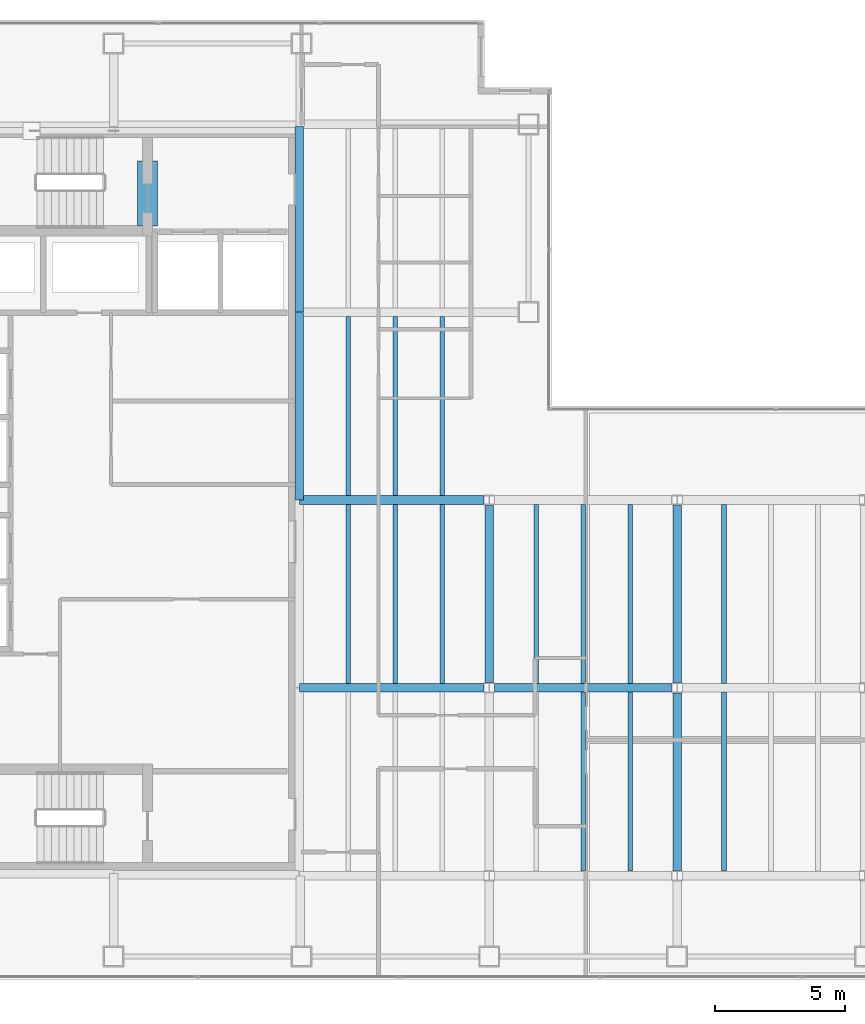
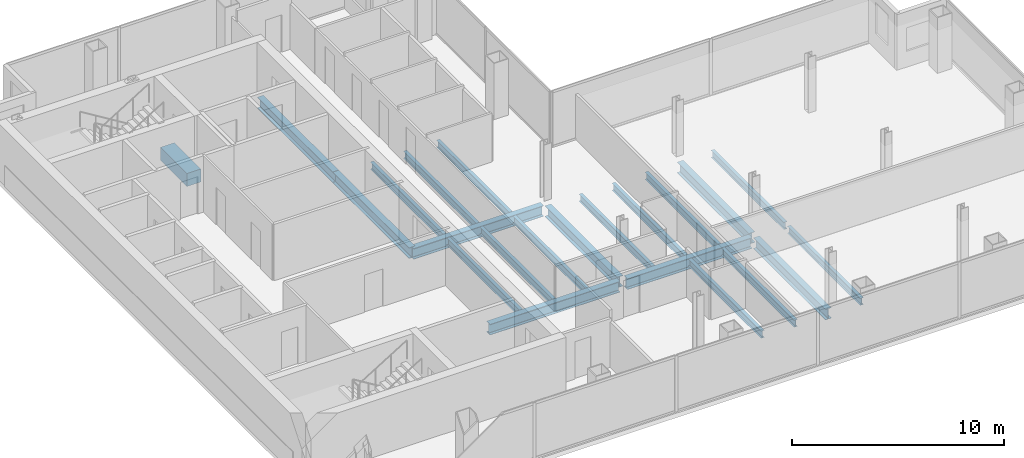
# One storey, part 7 of 23: 22 beams.
"""IFC4 building model written with IfcOpenShell, lengths in metres."""

import ifcopenshell
import ifcopenshell.guid

model = None  # the IFC model being written
_history = None  # IfcOwnerHistory: only IFC2X3 demands one
_inside = {}  # id of a spatial element -> (the spatial element, [elements in it])
_under = {}  # id of a project, library or spatial element -> (it, [spatial elements below it])
_declared = {}  # id of a project -> (the project, [libraries it declares])
_typed = {}  # id of a type object -> (the type object, [elements of that type])
_made_of = {}  # id of a material, layer set ... -> (it, [elements and type objects made of it])


def new_model(schema):
    """Start an empty IFC model of exactly this schema.

    Asked for "IFC4X3", IfcOpenShell would pick the latest addendum, in which some entities
    have other attributes; the version numbers below select the first issue.
    IFC2X3 requires an IfcOwnerHistory on every rooted entity: one is made here for all.
    """
    global model, _history
    if schema == "IFC4X3":
        model = ifcopenshell.file(schema_version=(4, 3, 0, 0))
    else:
        model = ifcopenshell.file(schema=schema)
    _inside.clear()
    _under.clear()
    _declared.clear()
    _typed.clear()
    _made_of.clear()
    _history = None
    if model.schema == "IFC2X3":
        org = make("IfcOrganization", Name="unknown")
        user = make(
            "IfcPersonAndOrganization",
            ThePerson=make("IfcPerson", FamilyName="unknown"),
            TheOrganization=org,
        )
        app = make(
            "IfcApplication",
            ApplicationDeveloper=org,
            Version="unknown",
            ApplicationFullName="unknown",
            ApplicationIdentifier="unknown",
        )
        _history = make(
            "IfcOwnerHistory",
            OwningUser=user,
            OwningApplication=app,
            ChangeAction="ADDED",
            CreationDate=0,
        )
    return model


def make(cls, **values):
    """One entity of the class cls with the attributes given. An attribute that is None is left unset."""
    return model.create_entity(
        cls, **{name: value for name, value in values.items() if value is not None}
    )


def rooted(cls, **values):
    """An entity with a GlobalId (a new one), such as an element, a storey or a relation."""
    return make(cls, GlobalId=ifcopenshell.guid.new(), OwnerHistory=_history, **values)


def si_unit(unit_type, name, prefix=None):
    """IfcSIUnit, for example si_unit("LENGTHUNIT", "METRE", prefix="MILLI")."""
    return make("IfcSIUnit", UnitType=unit_type, Prefix=prefix, Name=name)


def assignment(units):
    """IfcUnitAssignment: the units of a project."""
    return None if units is None else make("IfcUnitAssignment", Units=units)


def point(xyz):
    """IfcCartesianPoint."""
    return None if xyz is None else make("IfcCartesianPoint", Coordinates=xyz)


def direction(xyz):
    """IfcDirection."""
    return None if xyz is None else make("IfcDirection", DirectionRatios=xyz)


def frame(location, z_axis=None, x_axis=None):
    """IfcAxis2Placement3D, a coordinate frame: its origin and axes. An axis left out is left unset."""
    return make(
        "IfcAxis2Placement3D",
        Location=point(location),
        Axis=direction(z_axis),
        RefDirection=direction(x_axis),
    )


def frame_2d(location, x_axis=None):
    """IfcAxis2Placement2D, a coordinate frame in the plane: its origin and x axis."""
    return make(
        "IfcAxis2Placement2D", Location=point(location), RefDirection=direction(x_axis)
    )


def origin():
    """The frame at (0, 0, 0) with its axes left unset."""
    return frame((0.0, 0.0, 0.0))


def origin_2d():
    """The frame at (0, 0) in the plane with its x axis left unset."""
    return frame_2d((0.0, 0.0))


def place(relative_to, where):
    """IfcLocalPlacement: puts the frame where relative to a parent placement (None: the world)."""
    return make(
        "IfcLocalPlacement", PlacementRelTo=relative_to, RelativePlacement=where
    )


def context(
    kind, dimensions, precision=None, world=None, true_north=None, identifier=None
):
    """IfcGeometricRepresentationContext, for example the 3D "Model" context."""
    return make(
        "IfcGeometricRepresentationContext",
        ContextIdentifier=identifier,
        ContextType=kind,
        CoordinateSpaceDimension=dimensions,
        Precision=precision,
        WorldCoordinateSystem=world,
        TrueNorth=true_north,
    )


def subcontext(parent, identifier, kind, view, scale=None):
    """IfcGeometricRepresentationSubContext, for example "Body" below "Model"."""
    return make(
        "IfcGeometricRepresentationSubContext",
        ContextIdentifier=identifier,
        ContextType=kind,
        ParentContext=parent,
        TargetScale=scale,
        TargetView=view,
    )


def project(units=None, contexts=None):
    """IfcProject with its units and contexts."""
    return rooted(
        "IfcProject",
        Name="project",
        RepresentationContexts=contexts,
        UnitsInContext=assignment(units),
    )


def spatial(cls, under=None, at=None, **own):
    """A site, building, storey or space (cls), placed at a placement, below another one or the project."""
    s = rooted(cls, ObjectPlacement=at, **own)
    if under is not None:
        _under.setdefault(under.id(), (under, []))[1].append(s)
    return s


def profile(cls, at=None, kind="AREA", **sizes):
    """A parametric profile (cls). Its sizes go by their IFC names, for example OverallWidth=200.0."""
    return make(cls, ProfileType=kind, Position=at, **sizes)


def rectangle(**sizes):
    """IfcRectangleProfileDef."""
    return profile("IfcRectangleProfileDef", **sizes)


def i_section(**sizes):
    """IfcIShapeProfileDef."""
    return profile("IfcIShapeProfileDef", **sizes)


def extrude(swept, where, along, depth):
    """IfcExtrudedAreaSolid: the profile swept, set in the frame where, extruded along a direction by depth."""
    return make(
        "IfcExtrudedAreaSolid",
        SweptArea=swept,
        Position=where,
        ExtrudedDirection=direction(along),
        Depth=depth,
    )


def shape(context_of_items, identifier, shape_type, items):
    """IfcShapeRepresentation: the items that make up one representation, for example the "Body"."""
    return make(
        "IfcShapeRepresentation",
        ContextOfItems=context_of_items,
        RepresentationIdentifier=identifier,
        RepresentationType=shape_type,
        Items=items,
    )


def material(Name=None, Category=None):
    """IfcMaterial."""
    return make("IfcMaterial", Name=Name, Category=Category)


def material_profile(
    of_material, cross_section, Name=None, Category=None, Priority=None
):
    """IfcMaterialProfile: a cross section and its material."""
    return make(
        "IfcMaterialProfile",
        Name=Name,
        Material=of_material,
        Profile=cross_section,
        Priority=Priority,
        Category=Category,
    )


def profile_set(profiles, Name=None, composite=None):
    """IfcMaterialProfileSet."""
    return make(
        "IfcMaterialProfileSet",
        Name=Name,
        MaterialProfiles=profiles,
        CompositeProfile=composite,
    )


def made_of(thing, what):
    """Note that an element or type object is made of a material, layer set ...; save() writes the relation."""
    if what is not None:
        _made_of.setdefault(what.id(), (what, []))[1].append(thing)
    return thing


def type_object(cls, material=None, **own):
    """A type object (cls), such as IfcWallType, which elements share."""
    return made_of(rooted(cls, **own), material)


def element(
    cls,
    number,
    at=None,
    inside=None,
    cuts=None,
    type_object=None,
    material=None,
    context=None,
    identifier="Body",
    shape_type=None,
    held_by="IfcProductDefinitionShape",
    body=None,
    shapes=None,
    **own,
):
    """One element of the class cls, such as IfcWall. Its Tag is "e" and its number.

    at: its placement. inside: the storey or other place that contains it. cuts: it is an
    opening in that element (IfcRelVoidsElement). A single representation is given by context,
    identifier, shape_type and body (its items); several are given by shapes. held_by: the class
    of the entity that holds the representations. save() writes the other relations.
    """
    e = rooted(cls, Tag="e%d" % number, ObjectPlacement=at, **own)
    if body is not None:
        shapes = [shape(context, identifier, shape_type, body)]
    if shapes is not None:
        e.Representation = make(held_by, Representations=shapes)
    if inside is not None:
        _inside.setdefault(inside.id(), (inside, []))[1].append(e)
    if cuts is not None:
        rooted(
            "IfcRelVoidsElement", RelatingBuildingElement=cuts, RelatedOpeningElement=e
        )
    if type_object is not None:
        _typed.setdefault(type_object.id(), (type_object, []))[1].append(e)
    return made_of(e, material)


def aggregate(whole, parts):
    """IfcRelAggregates: a whole, such as a stair, and the parts it consists of."""
    return rooted("IfcRelAggregates", RelatingObject=whole, RelatedObjects=parts)


def save(model, path):
    """Write the relations noted so far, then the file.

    IfcRelAggregates (storeys below a building ...), IfcRelContainedInSpatialStructure (elements
    in a storey), IfcRelDefinesByType, IfcRelAssociatesMaterial and IfcRelDeclares: one each for
    every whole, place, type object, material and project.
    """
    for whole, parts in _under.values():
        aggregate(whole, parts)
    for where, things in _inside.values():
        rooted(
            "IfcRelContainedInSpatialStructure",
            RelatedElements=things,
            RelatingStructure=where,
        )
    for kind, things in _typed.values():
        rooted("IfcRelDefinesByType", RelatedObjects=things, RelatingType=kind)
    for what, things in _made_of.values():
        rooted("IfcRelAssociatesMaterial", RelatedObjects=things, RelatingMaterial=what)
    for by, libraries in _declared.values():
        rooted("IfcRelDeclares", RelatingContext=by, RelatedDefinitions=libraries)
    model.write(path)


model = new_model("IFC4")

# Units and contexts
model_context = context("Model", 3, precision=1e-05, world=origin(), true_north=direction((0.0, 1.0)))
body_context = subcontext(model_context, "Body", "Model", "MODEL_VIEW")
ifc_project = project(units=[si_unit("LENGTHUNIT", "METRE"), si_unit("AREAUNIT", "SQUARE_METRE"), si_unit("VOLUMEUNIT", "CUBIC_METRE"), si_unit("PLANEANGLEUNIT", "RADIAN"), si_unit("MASSUNIT", "GRAM", prefix="KILO")], contexts=[model_context])

# Site, building, storey
site_placement = place(None, origin())
site = spatial("IfcSite", under=ifc_project, at=site_placement, CompositionType="ELEMENT")
building_placement = place(site_placement, origin())
building = spatial("IfcBuilding", under=site, at=building_placement, Name="Cobrela Telecom Tower", CompositionType="ELEMENT")
storey_placement = place(building_placement, frame((0.0, 0.0, 197.75)))
storey = spatial("IfcBuildingStorey", under=building, at=storey_placement, Name="L50", CompositionType="ELEMENT", Elevation=197.75)

# Beams
ifc_material_1 = material(Name="Concrete C40/50", Category="concrete")
ifc_material_profile_1 = material_profile(ifc_material_1, rectangle(XDim=0.75, YDim=0.75, at=origin_2d()), Name="RC 750x750")
ifc_profile_set_1 = profile_set([ifc_material_profile_1], Name="Concrete C40/50")
beam_type_1 = type_object("IfcBeamType", Name="BM-COUP-RC", PredefinedType="LINTEL", material=ifc_profile_set_1)
beam_1_placement = place(storey_placement, frame((8.5, 32.10009765625, -0.610107421875), z_axis=(0.0, 1.0, 0.0), x_axis=(-1.0, 0.0, 0.0)))
element("IfcBeam", 1, at=beam_1_placement, inside=storey, type_object=beam_type_1, Name="L50 Core Coupling Lintel Beam", PredefinedType="LINTEL", context=body_context, shape_type="SweptSolid", body=[
    extrude(rectangle(XDim=0.75, YDim=0.75, at=origin_2d()), origin(), (0.0, 0.0, 1.0), 2.5),
])
ifc_material_2 = material(Name="Steel ASTM A992 Grade 50", Category="steel")
ifc_material_profile_2 = material_profile(ifc_material_2, i_section(OverallWidth=0.327880859375, OverallDepth=0.6220703125, WebThickness=0.015380859375, FlangeThickness=0.0244140625, FilletRadius=0.014892578125, at=origin_2d()), Name="W24X131")
ifc_profile_set_2 = profile_set([ifc_material_profile_2], Name="Steel ASTM A992 Grade 50")
beam_type_2 = type_object("IfcBeamType", Name="BM-GIRD-06", PredefinedType="USERDEFINED", material=ifc_profile_set_2)
beam_2_placement = place(storey_placement, frame((14.324951171875, 14.39990234375, -0.571044921875), z_axis=(1.0, 0.0, 0.0), x_axis=(0.0, 1.0, 0.0)))
element("IfcBeam", 2, at=beam_2_placement, inside=storey, type_object=beam_type_2, Name="L50 Primary Girder X11", ObjectType="GIRDER", PredefinedType="USERDEFINED", context=body_context, shape_type="SweptSolid", body=[
    extrude(i_section(OverallWidth=0.327880859375, OverallDepth=0.6220703125, WebThickness=0.015380859375, FlangeThickness=0.0244140625, FilletRadius=0.014892578125, at=origin_2d()), origin(), (0.0, 0.0, 1.0), 7.070556640625),
])
beam_3_placement = place(storey_placement, frame((21.804443359375, 14.39990234375, -0.571044921875), z_axis=(1.0, 0.0, 0.0), x_axis=(0.0, 1.0, 0.0)))
element("IfcBeam", 3, at=beam_3_placement, inside=storey, type_object=beam_type_2, Name="L50 Primary Girder X12", ObjectType="GIRDER", PredefinedType="USERDEFINED", context=body_context, shape_type="SweptSolid", body=[
    extrude(i_section(OverallWidth=0.327880859375, OverallDepth=0.6220703125, WebThickness=0.015380859375, FlangeThickness=0.0244140625, FilletRadius=0.014892578125, at=origin_2d()), origin(), (0.0, 0.0, 1.0), 6.791015625),
])
beam_4_placement = place(storey_placement, frame((14.324951171875, 21.60009765625, -0.571044921875), z_axis=(1.0, 0.0, 0.0), x_axis=(0.0, 1.0, 0.0)))
element("IfcBeam", 4, at=beam_4_placement, inside=storey, type_object=beam_type_2, Name="L50 Primary Girder X15", ObjectType="GIRDER", PredefinedType="USERDEFINED", context=body_context, shape_type="SweptSolid", body=[
    extrude(i_section(OverallWidth=0.327880859375, OverallDepth=0.6220703125, WebThickness=0.015380859375, FlangeThickness=0.0244140625, FilletRadius=0.014892578125, at=origin_2d()), origin(), (0.0, 0.0, 1.0), 7.070556640625),
])
beam_5_placement = place(storey_placement, frame((14.320068359375, 21.60498046875, -0.571044921875), z_axis=(0.0, 1.0, 0.0), x_axis=(-1.0, 0.0, 0.0)))
element("IfcBeam", 5, at=beam_5_placement, inside=storey, type_object=beam_type_2, Name="L50 Primary Girder Y29", ObjectType="GIRDER", PredefinedType="USERDEFINED", context=body_context, shape_type="SweptSolid", body=[
    extrude(i_section(OverallWidth=0.327880859375, OverallDepth=0.6220703125, WebThickness=0.015380859375, FlangeThickness=0.0244140625, FilletRadius=0.014892578125, at=origin_2d()), origin(), (0.0, 0.0, 1.0), 7.18994140625),
])
beam_6_placement = place(storey_placement, frame((14.320068359375, 28.804931640625, -0.571044921875), z_axis=(0.0, 1.0, 0.0), x_axis=(-1.0, 0.0, 0.0)))
element("IfcBeam", 6, at=beam_6_placement, inside=storey, type_object=beam_type_2, Name="L50 Primary Girder Y30", ObjectType="GIRDER", PredefinedType="USERDEFINED", context=body_context, shape_type="SweptSolid", body=[
    extrude(i_section(OverallWidth=0.327880859375, OverallDepth=0.6220703125, WebThickness=0.015380859375, FlangeThickness=0.0244140625, FilletRadius=0.014892578125, at=origin_2d()), origin(), (0.0, 0.0, 1.0), 7.110107421875),
])
for number, where, z_axis, x_axis, name in (
    (7, (21.60009765625, 14.6044921875, -0.571044921875), (0.0, 1.0, 0.0), (-1.0, 0.0, 0.0), "L50 Primary Girder Y34"),
    (8, (28.800048828125, 7.404541015625, -0.571044921875), (0.0, 1.0, 0.0), (-1.0, 0.0, 0.0), "L50 Primary Girder Y37"),
    (9, (28.800048828125, 14.6044921875, -0.571044921875), (0.0, 1.0, 0.0), (-1.0, 0.0, 0.0), "L50 Primary Girder Y38"),
):
    element("IfcBeam", number, at=place(storey_placement, frame(where, z_axis=z_axis, x_axis=x_axis)), inside=storey, type_object=beam_type_2, Name=name, ObjectType="GIRDER", PredefinedType="USERDEFINED", context=body_context, shape_type="SweptSolid", body=[
        extrude(i_section(OverallWidth=0.327880859375, OverallDepth=0.6220703125, WebThickness=0.015380859375, FlangeThickness=0.0244140625, FilletRadius=0.014892578125, at=origin_2d()), origin(), (0.0, 0.0, 1.0), 6.791015625),
    ])
ifc_material_profile_3 = material_profile(ifc_material_2, i_section(OverallWidth=0.179931640625, OverallDepth=0.4169921875, WebThickness=0.010986328125, FlangeThickness=0.01806640625, FilletRadius=0.011962890625, at=origin_2d()), Name="W16X57")
ifc_profile_set_3 = profile_set([ifc_material_profile_3], Name="Steel ASTM A992 Grade 50")
beam_type_3 = type_object("IfcBeamType", Name="BM-JOIST-04", PredefinedType="JOIST", material=ifc_profile_set_3)
beam_7_placement = place(storey_placement, frame((16.199951171875, 14.569091796875, -0.468505859375), z_axis=(0.0, 1.0, 0.0), x_axis=(-1.0, 0.0, 0.0)))
element("IfcBeam", 10, at=beam_7_placement, inside=storey, type_object=beam_type_3, Name="L50 Secondary Composite Floor Beam J02", PredefinedType="JOIST", context=body_context, shape_type="SweptSolid", body=[
    extrude(i_section(OverallWidth=0.179931640625, OverallDepth=0.4169921875, WebThickness=0.010986328125, FlangeThickness=0.01806640625, FilletRadius=0.011962890625, at=origin_2d()), origin(), (0.0, 0.0, 1.0), 6.86181640625),
])
beam_8_placement = place(storey_placement, frame((16.199951171875, 21.76904296875, -0.468505859375), z_axis=(0.0, 1.0, 0.0), x_axis=(-1.0, 0.0, 0.0)))
element("IfcBeam", 11, at=beam_8_placement, inside=storey, type_object=beam_type_3, Name="L50 Secondary Composite Floor Beam J03", PredefinedType="JOIST", context=body_context, shape_type="SweptSolid", body=[
    extrude(i_section(OverallWidth=0.179931640625, OverallDepth=0.4169921875, WebThickness=0.010986328125, FlangeThickness=0.01806640625, FilletRadius=0.011962890625, at=origin_2d()), origin(), (0.0, 0.0, 1.0), 6.862060546875),
])
beam_9_placement = place(storey_placement, frame((18.0, 14.569091796875, -0.468505859375), z_axis=(0.0, 1.0, 0.0), x_axis=(-1.0, 0.0, 0.0)))
element("IfcBeam", 12, at=beam_9_placement, inside=storey, type_object=beam_type_3, Name="L50 Secondary Composite Floor Beam J06", PredefinedType="JOIST", context=body_context, shape_type="SweptSolid", body=[
    extrude(i_section(OverallWidth=0.179931640625, OverallDepth=0.4169921875, WebThickness=0.010986328125, FlangeThickness=0.01806640625, FilletRadius=0.011962890625, at=origin_2d()), origin(), (0.0, 0.0, 1.0), 6.86181640625),
])
beam_10_placement = place(storey_placement, frame((18.0, 21.76904296875, -0.468505859375), z_axis=(0.0, 1.0, 0.0), x_axis=(-1.0, 0.0, 0.0)))
element("IfcBeam", 13, at=beam_10_placement, inside=storey, type_object=beam_type_3, Name="L50 Secondary Composite Floor Beam J07", PredefinedType="JOIST", context=body_context, shape_type="SweptSolid", body=[
    extrude(i_section(OverallWidth=0.179931640625, OverallDepth=0.4169921875, WebThickness=0.010986328125, FlangeThickness=0.01806640625, FilletRadius=0.011962890625, at=origin_2d()), origin(), (0.0, 0.0, 1.0), 6.862060546875),
])
beam_11_placement = place(storey_placement, frame((19.800048828125, 14.569091796875, -0.468505859375), z_axis=(0.0, 1.0, 0.0), x_axis=(-1.0, 0.0, 0.0)))
element("IfcBeam", 14, at=beam_11_placement, inside=storey, type_object=beam_type_3, Name="L50 Secondary Composite Floor Beam J10", PredefinedType="JOIST", context=body_context, shape_type="SweptSolid", body=[
    extrude(i_section(OverallWidth=0.179931640625, OverallDepth=0.4169921875, WebThickness=0.010986328125, FlangeThickness=0.01806640625, FilletRadius=0.011962890625, at=origin_2d()), origin(), (0.0, 0.0, 1.0), 6.86181640625),
])
beam_12_placement = place(storey_placement, frame((19.800048828125, 21.76904296875, -0.468505859375), z_axis=(0.0, 1.0, 0.0), x_axis=(-1.0, 0.0, 0.0)))
element("IfcBeam", 15, at=beam_12_placement, inside=storey, type_object=beam_type_3, Name="L50 Secondary Composite Floor Beam J11", PredefinedType="JOIST", context=body_context, shape_type="SweptSolid", body=[
    extrude(i_section(OverallWidth=0.179931640625, OverallDepth=0.4169921875, WebThickness=0.010986328125, FlangeThickness=0.01806640625, FilletRadius=0.011962890625, at=origin_2d()), origin(), (0.0, 0.0, 1.0), 6.862060546875),
])
beam_13_placement = place(storey_placement, frame((23.39990234375, 14.569091796875, -0.468505859375), z_axis=(0.0, 1.0, 0.0), x_axis=(-1.0, 0.0, 0.0)))
element("IfcBeam", 16, at=beam_13_placement, inside=storey, type_object=beam_type_3, Name="L50 Secondary Composite Floor Beam J14", PredefinedType="JOIST", context=body_context, shape_type="SweptSolid", body=[
    extrude(i_section(OverallWidth=0.179931640625, OverallDepth=0.4169921875, WebThickness=0.010986328125, FlangeThickness=0.01806640625, FilletRadius=0.011962890625, at=origin_2d()), origin(), (0.0, 0.0, 1.0), 6.86181640625),
])
beam_14_placement = place(storey_placement, frame((25.199951171875, 7.368896484375, -0.468505859375), z_axis=(0.0, 1.0, 0.0), x_axis=(-1.0, 0.0, 0.0)))
element("IfcBeam", 17, at=beam_14_placement, inside=storey, type_object=beam_type_3, Name="L50 Secondary Composite Floor Beam J15", PredefinedType="JOIST", context=body_context, shape_type="SweptSolid", body=[
    extrude(i_section(OverallWidth=0.179931640625, OverallDepth=0.4169921875, WebThickness=0.010986328125, FlangeThickness=0.01806640625, FilletRadius=0.011962890625, at=origin_2d()), origin(), (0.0, 0.0, 1.0), 6.862060546875),
])
beam_15_placement = place(storey_placement, frame((25.199951171875, 14.569091796875, -0.468505859375), z_axis=(0.0, 1.0, 0.0), x_axis=(-1.0, 0.0, 0.0)))
element("IfcBeam", 18, at=beam_15_placement, inside=storey, type_object=beam_type_3, Name="L50 Secondary Composite Floor Beam J16", PredefinedType="JOIST", context=body_context, shape_type="SweptSolid", body=[
    extrude(i_section(OverallWidth=0.179931640625, OverallDepth=0.4169921875, WebThickness=0.010986328125, FlangeThickness=0.01806640625, FilletRadius=0.011962890625, at=origin_2d()), origin(), (0.0, 0.0, 1.0), 6.86181640625),
])
beam_16_placement = place(storey_placement, frame((27.0, 7.368896484375, -0.468505859375), z_axis=(0.0, 1.0, 0.0), x_axis=(-1.0, 0.0, 0.0)))
element("IfcBeam", 19, at=beam_16_placement, inside=storey, type_object=beam_type_3, Name="L50 Secondary Composite Floor Beam J17", PredefinedType="JOIST", context=body_context, shape_type="SweptSolid", body=[
    extrude(i_section(OverallWidth=0.179931640625, OverallDepth=0.4169921875, WebThickness=0.010986328125, FlangeThickness=0.01806640625, FilletRadius=0.011962890625, at=origin_2d()), origin(), (0.0, 0.0, 1.0), 6.862060546875),
])
beam_17_placement = place(storey_placement, frame((27.0, 14.569091796875, -0.468505859375), z_axis=(0.0, 1.0, 0.0), x_axis=(-1.0, 0.0, 0.0)))
element("IfcBeam", 20, at=beam_17_placement, inside=storey, type_object=beam_type_3, Name="L50 Secondary Composite Floor Beam J18", PredefinedType="JOIST", context=body_context, shape_type="SweptSolid", body=[
    extrude(i_section(OverallWidth=0.179931640625, OverallDepth=0.4169921875, WebThickness=0.010986328125, FlangeThickness=0.01806640625, FilletRadius=0.011962890625, at=origin_2d()), origin(), (0.0, 0.0, 1.0), 6.86181640625),
])
beam_18_placement = place(storey_placement, frame((30.60009765625, 7.368896484375, -0.468505859375), z_axis=(0.0, 1.0, 0.0), x_axis=(-1.0, 0.0, 0.0)))
element("IfcBeam", 21, at=beam_18_placement, inside=storey, type_object=beam_type_3, Name="L50 Secondary Composite Floor Beam J19", PredefinedType="JOIST", context=body_context, shape_type="SweptSolid", body=[
    extrude(i_section(OverallWidth=0.179931640625, OverallDepth=0.4169921875, WebThickness=0.010986328125, FlangeThickness=0.01806640625, FilletRadius=0.011962890625, at=origin_2d()), origin(), (0.0, 0.0, 1.0), 6.862060546875),
])
beam_19_placement = place(storey_placement, frame((30.60009765625, 14.569091796875, -0.468505859375), z_axis=(0.0, 1.0, 0.0), x_axis=(-1.0, 0.0, 0.0)))
element("IfcBeam", 22, at=beam_19_placement, inside=storey, type_object=beam_type_3, Name="L50 Secondary Composite Floor Beam J20", PredefinedType="JOIST", context=body_context, shape_type="SweptSolid", body=[
    extrude(i_section(OverallWidth=0.179931640625, OverallDepth=0.4169921875, WebThickness=0.010986328125, FlangeThickness=0.01806640625, FilletRadius=0.011962890625, at=origin_2d()), origin(), (0.0, 0.0, 1.0), 6.86181640625),
])

save(model, "model.ifc")
